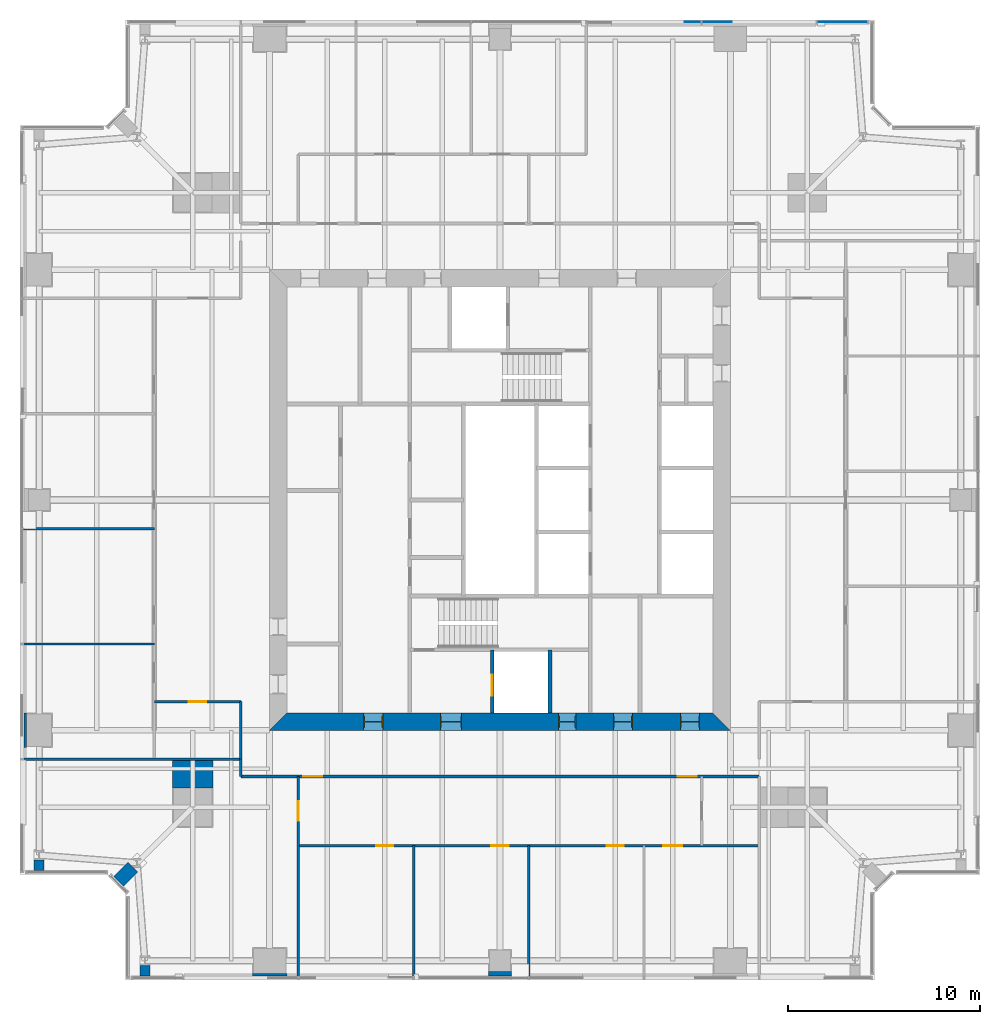
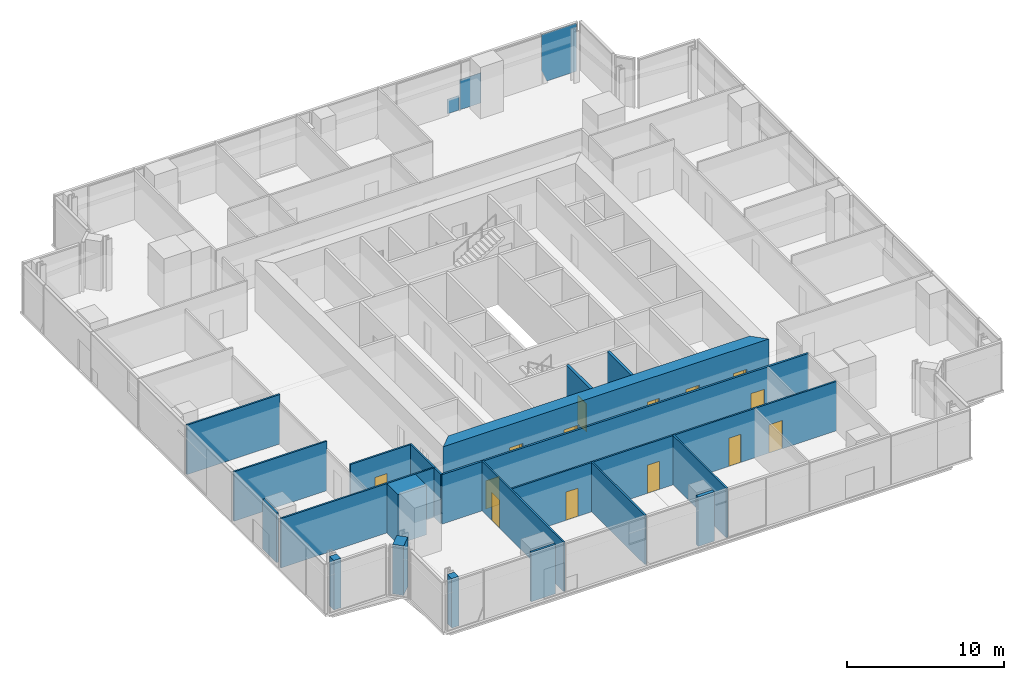
# One storey, part 9 of 14: 21 walls, 14 doors, 3 plates, 14 openings, 1 element without a shape of its own.
"""IFC4 building model written with IfcOpenShell, lengths in metres."""

from ifc_helpers import new_model, si_unit, direction, frame, frame_2d, origin, place, context, subcontext, project, spatial, polyline, rectangle, outline, extrude, material, layer, layer_set, type_object, element, fill, aggregate, save


model = new_model("IFC4")

# Units and contexts
model_context = context("Model", 3, precision=1e-05, world=origin(), true_north=direction((0.0, 1.0)))
body_context = subcontext(model_context, "Body", "Model", "MODEL_VIEW")
ifc_project = project(units=[si_unit("LENGTHUNIT", "METRE"), si_unit("AREAUNIT", "SQUARE_METRE"), si_unit("VOLUMEUNIT", "CUBIC_METRE"), si_unit("PLANEANGLEUNIT", "RADIAN"), si_unit("MASSUNIT", "GRAM", prefix="KILO")], contexts=[model_context])

# Site, building, storey
site_placement = place(None, origin())
site = spatial("IfcSite", under=ifc_project, at=site_placement, CompositionType="ELEMENT")
building_placement = place(site_placement, origin())
building = spatial("IfcBuilding", under=site, at=building_placement, Name="Fenwick Lantern Interchange", CompositionType="ELEMENT")
storey_placement = place(building_placement, frame((0.0, 0.0, 225.800048828125)))
storey = spatial("IfcBuildingStorey", under=building, at=storey_placement, Name="L53", CompositionType="ELEMENT", Elevation=225.800048828125)

# Curtain wall, plates
ifc_material_1 = material(Name="Aluminium curtain wall frame", Category="aluminium")
curtain_wall_type = type_object("IfcCurtainWallType", Name="OFFICE CURTAIN WALL", PredefinedType="USERDEFINED", material=ifc_material_1)
curtain_wall_placement = place(storey_placement, origin())
curtain_wall = element("IfcCurtainWall", 1, at=curtain_wall_placement, inside=storey, type_object=curtain_wall_type, Name="Office curtain wall 09", ObjectType="OFFICE CURTAIN WALL", PredefinedType="USERDEFINED")
ifc_material_2 = material(Name="Vision glass, clear low-iron double glazed", Category="glass")
ifc_layer_1 = layer(ifc_material_2, 0.031982421875)
ifc_layer_set_1 = layer_set([ifc_layer_1], Name="OFFICE CURTAIN WALL PANEL 32")
plate_type = type_object("IfcPlateType", Name="OFFICE CURTAIN WALL PANEL 32", PredefinedType="CURTAIN_PANEL", material=ifc_layer_set_1)
plate_1_placement = place(storey_placement, frame((44.39990234375, 49.89990234375, 0.0), z_axis=(0.0, 0.0, 1.0), x_axis=(-1.0, 0.0, 0.0)))
plate_1 = element("IfcPlate", 2, at=plate_1_placement, type_object=plate_type, Name="L53/CW/09/P00a", PredefinedType="CURTAIN_PANEL", context=body_context, shape_type="SweptSolid", body=[
    extrude(outline(polyline([(0.264892578125, 0.0), (2.4765625, 0.0), (2.867431640625, 0.955078125), (2.867431640625, 3.75), (0.264892578125, 3.75), (0.264892578125, 0.0)])), frame((0.0, 0.01611328125, 0.0), z_axis=(0.0, -1.0, 0.0), x_axis=(1.0, 0.0, 0.0)), (0.0, 0.0, 1.0), 0.031982421875),
])
plate_2_placement = place(storey_placement, frame((44.39990234375, 49.89990234375, 0.0), z_axis=(0.0, 0.0, 1.0), x_axis=(-1.0, 0.0, 0.0)))
plate_2 = element("IfcPlate", 3, at=plate_2_placement, type_object=plate_type, Name="L53/CW/09/P01a", PredefinedType="CURTAIN_PANEL", context=body_context, shape_type="SweptSolid", body=[
    extrude(outline(polyline([(7.326416015625, 0.0), (8.867431640625, 0.0), (8.867431640625, 2.345947265625), (7.326416015625, 2.345947265625), (7.326416015625, 0.0)])), frame((0.0, 0.01611328125, 0.0), z_axis=(0.0, -1.0, 0.0), x_axis=(1.0, 0.0, 0.0)), (0.0, 0.0, 1.0), 0.031982421875),
])
plate_3_placement = place(storey_placement, frame((44.39990234375, 49.89990234375, 0.0), z_axis=(0.0, 0.0, 1.0), x_axis=(-1.0, 0.0, 0.0)))
plate_3 = element("IfcPlate", 4, at=plate_3_placement, type_object=plate_type, Name="L53/CW/09/P02a", PredefinedType="CURTAIN_PANEL", context=body_context, shape_type="SweptSolid", body=[
    extrude(outline(polyline([(8.9326171875, 0.0), (9.78759765625, 0.0), (9.78759765625, 1.13232421875), (8.9326171875, 1.13232421875), (8.9326171875, 0.0)])), frame((0.0, 0.01611328125, 0.0), z_axis=(0.0, -1.0, 0.0), x_axis=(1.0, 0.0, 0.0)), (0.0, 0.0, 1.0), 0.031982421875),
])
aggregate(curtain_wall, [plate_1, plate_2, plate_3])

# Walls
ifc_material_3 = material(Name="Fire-rated gypsum board encasement on steel studs, 2 hour", Category="steel")
ifc_layer_2 = layer(ifc_material_3, 1.199951171875)
ifc_layer_set_2 = layer_set([ifc_layer_2], Name="COLUMN PIER 1200")
wall_type_1 = type_object("IfcWallType", Name="COLUMN PIER 1200", PredefinedType="PARTITIONING", material=ifc_layer_set_2)
wall_1_placement = place(storey_placement, frame((25.0, 0.199951171875, 0.0), z_axis=(0.0, 0.0, 1.0), x_axis=(0.0, 1.0, 0.0)))
element("IfcWall", 5, at=wall_1_placement, inside=storey, type_object=wall_type_1, Name="L53/W/PIER/CS3", PredefinedType="PARTITIONING", context=body_context, shape_type="SweptSolid", body=[
    extrude(rectangle(XDim=0.25, YDim=1.199951171875, at=frame_2d((0.125, 0.0))), origin(), (0.0, 0.0, 1.0), 3.849853515625),
])
ifc_layer_3 = layer(ifc_material_3, 1.800048828125)
ifc_layer_set_3 = layer_set([ifc_layer_3], Name="COLUMN PIER 1800")
wall_type_2 = type_object("IfcWallType", Name="COLUMN PIER 1800", PredefinedType="PARTITIONING", material=ifc_layer_set_3)
for number, where, z_axis, x_axis, name in (
    (6, (13.0, 0.199951171875, 0.0), (0.0, 0.0, 1.0), (0.0, 1.0, 0.0), "L53/W/PIER/CS2"),
    (7, (0.199951171875, 13.0, 0.0), (0.0, 0.0, 1.0), (1.0, 0.0, 0.0), "L53/W/PIER/CW4"),
):
    element("IfcWall", number, at=place(storey_placement, frame(where, z_axis=z_axis, x_axis=x_axis)), inside=storey, type_object=wall_type_2, Name=name, PredefinedType="PARTITIONING", context=body_context, shape_type="SweptSolid", body=[
        extrude(rectangle(XDim=0.150146484375, YDim=1.800048828125, at=frame_2d((0.0751953125, 0.0))), origin(), (0.0, 0.0, 1.0), 3.849853515625),
    ])
ifc_layer_4 = layer(ifc_material_3, 2.10009765625)
ifc_layer_set_4 = layer_set([ifc_layer_4], Name="COLUMN PIER 2100")
wall_type_3 = type_object("IfcWallType", Name="COLUMN PIER 2100", PredefinedType="PARTITIONING", material=ifc_layer_set_4)
wall_2_placement = place(storey_placement, frame((9.0, 11.4375, 0.0), z_axis=(0.0, 0.0, 1.0), x_axis=(0.0, -1.0, 0.0)))
element("IfcWall", 8, at=wall_2_placement, inside=storey, type_object=wall_type_3, Name="L53/W/PIER/M1", PredefinedType="PARTITIONING", context=body_context, shape_type="SweptSolid", body=[
    extrude(rectangle(XDim=1.4375, YDim=2.10009765625, at=frame_2d((0.71875, 0.0))), origin(), (0.0, 0.0, 1.0), 3.849853515625),
])
ifc_layer_5 = layer(ifc_material_3, 0.52392578125)
ifc_layer_set_5 = layer_set([ifc_layer_5], Name="COLUMN PIER 524")
wall_type_4 = type_object("IfcWallType", Name="COLUMN PIER 524", PredefinedType="PARTITIONING", material=ifc_layer_set_5)
for number, where, z_axis, x_axis, name in (
    (9, (6.5, 0.199951171875, 0.0), (0.0, 0.0, 1.0), (0.0, 1.0, 0.0), "L53/W/PIER/CS1"),
    (10, (1.0, 5.699951171875, 0.0), (0.0, 0.0, 1.0), (0.0, 1.0, 0.0), "L53/W/PIER/CW5"),
):
    element("IfcWall", number, at=place(storey_placement, frame(where, z_axis=z_axis, x_axis=x_axis)), inside=storey, type_object=wall_type_4, Name=name, PredefinedType="PARTITIONING", context=body_context, shape_type="SweptSolid", body=[
        extrude(rectangle(XDim=0.5625, YDim=0.52392578125, at=frame_2d((0.28125, 0.0))), origin(), (0.0, 0.0, 1.0), 3.849853515625),
    ])
ifc_layer_6 = layer(ifc_material_3, 0.736083984375)
ifc_layer_set_6 = layer_set([ifc_layer_6], Name="COLUMN PIER 736")
wall_type_5 = type_object("IfcWallType", Name="COLUMN PIER 736", PredefinedType="PARTITIONING", material=ifc_layer_set_6)
wall_3_placement = place(storey_placement, frame((5.141357421875, 5.141357421875, 0.0), z_axis=(0.0, 0.0, 1.0), x_axis=(0.707106781187, 0.707106781187, 0.0)))
element("IfcWall", 11, at=wall_3_placement, inside=storey, type_object=wall_type_5, Name="L53/W/PIER/CWR", PredefinedType="PARTITIONING", context=body_context, shape_type="SweptSolid", body=[
    extrude(rectangle(XDim=1.037841796875, YDim=0.736083984375, at=frame_2d((0.51904296875, 0.0))), origin(), (0.0, 0.0, 1.0), 3.849853515625),
])

# Wall, opening, door
ifc_material_4 = material(Name="Concrete masonry ASTM C90 Grade N", Category="masonry")
ifc_layer_7 = layer(ifc_material_4, 0.199951171875)
ifc_layer_set_7 = layer_set([ifc_layer_7], Name="Concrete masonry ASTM C90 Grade N")
wall_type_6 = type_object("IfcWallType", Name="CORE PARTITION 200", PredefinedType="PARTITIONING", material=ifc_layer_set_7)
wall_4_placement = place(storey_placement, frame((24.60009765625, 13.89990234375, 0.0), z_axis=(0.0, 0.0, 1.0), x_axis=(0.0, 1.0, 0.0)))
wall_4 = element("IfcWall", 12, at=wall_4_placement, inside=storey, type_object=wall_type_6, Name="L53/W/CORES/h1", PredefinedType="PARTITIONING", context=body_context, shape_type="SweptSolid", body=[
    extrude(rectangle(XDim=3.300048828125, YDim=0.199951171875, at=frame_2d((1.64990234375, 0.0))), origin(), (0.0, 0.0, 1.0), 3.800048828125),
])
opening_1_placement = place(wall_4_placement, frame((0.89990234375, 0.0, 0.0)))
opening_1 = element("IfcOpeningElement", 13, at=opening_1_placement, cuts=wall_4, Name="Opening LD-FL1", PredefinedType="OPENING", context=body_context, shape_type="SweptSolid", body=[
    extrude(rectangle(XDim=1.10009765625, YDim=2.199951171875, at=frame_2d((0.550048828125, 1.10009765625))), frame((0.0, 0.10986328125, 0.0), z_axis=(0.0, -1.0, 0.0), x_axis=(1.0, 0.0, 0.0)), (0.0, 0.0, 1.0), 0.219970703125),
])
ifc_material_5 = material(Name="Steel door and frame", Category="steel")
door_type_1 = type_object("IfcDoorType", Name="LIFT LANDING DOOR 1100 X 2200", OperationType="DOUBLE_DOOR_SLIDING", PredefinedType="DOOR", material=ifc_material_5)
door_1_placement = place(opening_1_placement, origin())
door_1 = element("IfcDoor", 14, at=door_1_placement, inside=storey, type_object=door_type_1, Name="Lift landing door FL1", OperationType="DOUBLE_DOOR_SLIDING", OverallHeight=2.199951171875, OverallWidth=1.10009765625, PredefinedType="DOOR", context=body_context, shape_type="SweptSolid", body=[
    extrude(rectangle(XDim=1.10009765625, YDim=2.199951171875, at=frame_2d((0.550048828125, 1.10009765625))), frame((0.0, 0.02490234375, 0.0), z_axis=(0.0, -1.0, 0.0), x_axis=(1.0, 0.0, 0.0)), (0.0, 0.0, 1.0), 0.050048828125),
])
fill(opening_1, door_1)

# Wall
wall_5_placement = place(storey_placement, frame((27.60009765625, 13.89990234375, 0.0), z_axis=(0.0, 0.0, 1.0), x_axis=(0.0, 1.0, 0.0)))
element("IfcWall", 15, at=wall_5_placement, inside=storey, type_object=wall_type_6, Name="L53/W/CORES/h2", PredefinedType="PARTITIONING", context=body_context, shape_type="SweptSolid", body=[
    extrude(rectangle(XDim=3.300048828125, YDim=0.199951171875, at=frame_2d((1.64990234375, 0.0))), origin(), (0.0, 0.0, 1.0), 3.800048828125),
])

# Wall, openings, doors
ifc_material_6 = material(Name="Concrete f'c 70 MPa", Category="concrete")
ifc_layer_8 = layer(ifc_material_6, 0.89990234375)
ifc_layer_set_8 = layer_set([ifc_layer_8], Name="CORE WALL 900")
wall_type_7 = type_object("IfcWallType", Name="CORE WALL 900", PredefinedType="SHEAR", material=ifc_layer_set_8)
wall_6_placement = place(storey_placement, frame((13.0, 13.449951171875, 0.0), z_axis=(0.0, 0.0, 1.0), x_axis=(1.0, 0.0, 0.0)))
wall_6 = element("IfcWall", 16, at=wall_6_placement, inside=storey, type_object=wall_type_7, Name="L53/CORE/S", PredefinedType="SHEAR", context=body_context, shape_type="SweptSolid", body=[
    extrude(outline(polyline([(0.0, -0.449951171875), (24.0, -0.449951171875), (23.10009765625, 0.449951171875), (0.89990234375, 0.449951171875), (0.0, -0.449951171875)])), origin(), (0.0, 0.0, 1.0), 4.0),
])
opening_2_placement = place(wall_6_placement, frame((4.89990234375, 0.0, 0.0)))
opening_2 = element("IfcOpeningElement", 17, at=opening_2_placement, cuts=wall_6, Name="Opening L53-D001", PredefinedType="OPENING", context=body_context, shape_type="SweptSolid", body=[
    extrude(rectangle(XDim=1.0, YDim=2.199951171875, at=frame_2d((0.5, 1.10009765625))), frame((0.0, 0.4599609375, 0.0), z_axis=(0.0, -1.0, 0.0), x_axis=(1.0, 0.0, 0.0)), (0.0, 0.0, 1.0), 0.919921875),
])
opening_3_placement = place(wall_6_placement, frame((8.89990234375, 0.0, 0.0)))
opening_3 = element("IfcOpeningElement", 18, at=opening_3_placement, cuts=wall_6, Name="Opening L53-D002", PredefinedType="OPENING", context=body_context, shape_type="SweptSolid", body=[
    extrude(rectangle(XDim=1.10009765625, YDim=2.199951171875, at=frame_2d((0.550048828125, 1.10009765625))), frame((0.0, 0.4599609375, 0.0), z_axis=(0.0, -1.0, 0.0), x_axis=(1.0, 0.0, 0.0)), (0.0, 0.0, 1.0), 0.919921875),
])
opening_4_placement = place(wall_6_placement, frame((15.050048828125, 0.0, 0.0)))
opening_4 = element("IfcOpeningElement", 19, at=opening_4_placement, cuts=wall_6, Name="Opening L53-D004", PredefinedType="OPENING", context=body_context, shape_type="SweptSolid", body=[
    extrude(rectangle(XDim=0.89990234375, YDim=2.199951171875, at=frame_2d((0.449951171875, 1.10009765625))), frame((0.0, 0.4599609375, 0.0), z_axis=(0.0, -1.0, 0.0), x_axis=(1.0, 0.0, 0.0)), (0.0, 0.0, 1.0), 0.919921875),
])
opening_5_placement = place(wall_6_placement, frame((17.89990234375, 0.0, 0.0)))
opening_5 = element("IfcOpeningElement", 20, at=opening_5_placement, cuts=wall_6, Name="Opening L53-D005", PredefinedType="OPENING", context=body_context, shape_type="SweptSolid", body=[
    extrude(rectangle(XDim=1.0, YDim=2.199951171875, at=frame_2d((0.5, 1.10009765625))), frame((0.0, 0.4599609375, 0.0), z_axis=(0.0, -1.0, 0.0), x_axis=(1.0, 0.0, 0.0)), (0.0, 0.0, 1.0), 0.919921875),
])
opening_6_placement = place(wall_6_placement, frame((21.39990234375, 0.0, 0.0)))
opening_6 = element("IfcOpeningElement", 21, at=opening_6_placement, cuts=wall_6, Name="Opening L53-D006", PredefinedType="OPENING", context=body_context, shape_type="SweptSolid", body=[
    extrude(rectangle(XDim=1.0, YDim=2.199951171875, at=frame_2d((0.5, 1.10009765625))), frame((0.0, 0.4599609375, 0.0), z_axis=(0.0, -1.0, 0.0), x_axis=(1.0, 0.0, 0.0)), (0.0, 0.0, 1.0), 0.919921875),
])
door_type_2 = type_object("IfcDoorType", Name="CORE LOBBY DOOR 1000 X 2200", OperationType="SINGLE_SWING_LEFT", PredefinedType="DOOR", material=ifc_material_5)
door_2_placement = place(opening_2_placement, origin())
door_2 = element("IfcDoor", 22, at=door_2_placement, inside=storey, type_object=door_type_2, Name="Core lobby door", OperationType="SINGLE_SWING_LEFT", OverallHeight=2.199951171875, OverallWidth=1.0, PredefinedType="DOOR", context=body_context, shape_type="SweptSolid", body=[
    extrude(rectangle(XDim=1.0, YDim=2.199951171875, at=frame_2d((0.5, 1.10009765625))), frame((0.0, 0.02490234375, 0.0), z_axis=(0.0, -1.0, 0.0), x_axis=(1.0, 0.0, 0.0)), (0.0, 0.0, 1.0), 0.050048828125),
    extrude(outline(polyline([(0.0, 0.0), (0.0400390625, 0.0), (0.0400390625, 2.159912109375), (0.9599609375, 2.159912109375), (0.9599609375, 0.0), (1.0, 0.0), (1.0, 2.199951171875), (0.0, 2.199951171875), (0.0, 0.0)])), frame((0.0, 0.300048828125, 0.0), z_axis=(0.0, -1.0, 0.0), x_axis=(1.0, 0.0, 0.0)), (0.0, 0.0, 1.0), 0.60009765625),
])
fill(opening_2, door_2)
door_type_3 = type_object("IfcDoorType", Name="FIRE LOBBY DOOR 1100 X 2200", OperationType="SINGLE_SWING_LEFT", PredefinedType="DOOR", material=ifc_material_5)
door_3_placement = place(opening_3_placement, origin())
door_3 = element("IfcDoor", 23, at=door_3_placement, inside=storey, type_object=door_type_3, Name="Fire lobby door", OperationType="SINGLE_SWING_LEFT", OverallHeight=2.199951171875, OverallWidth=1.10009765625, PredefinedType="DOOR", context=body_context, shape_type="SweptSolid", body=[
    extrude(rectangle(XDim=1.10009765625, YDim=2.199951171875, at=frame_2d((0.550048828125, 1.10009765625))), frame((0.0, 0.02490234375, 0.0), z_axis=(0.0, -1.0, 0.0), x_axis=(1.0, 0.0, 0.0)), (0.0, 0.0, 1.0), 0.050048828125),
    extrude(outline(polyline([(0.0, 0.0), (0.0400390625, 0.0), (0.0400390625, 2.159912109375), (1.06005859375, 2.159912109375), (1.06005859375, 0.0), (1.10009765625, 0.0), (1.10009765625, 2.199951171875), (0.0, 2.199951171875), (0.0, 0.0)])), frame((0.0, 0.300048828125, 0.0), z_axis=(0.0, -1.0, 0.0), x_axis=(1.0, 0.0, 0.0)), (0.0, 0.0, 1.0), 0.60009765625),
])
fill(opening_3, door_3)
door_type_4 = type_object("IfcDoorType", Name="SERVICE DOOR 900 X 2200", OperationType="SINGLE_SWING_LEFT", PredefinedType="DOOR", material=ifc_material_5)
door_4_placement = place(opening_4_placement, origin())
door_4 = element("IfcDoor", 24, at=door_4_placement, inside=storey, type_object=door_type_4, Name="Service door", OperationType="SINGLE_SWING_LEFT", OverallHeight=2.199951171875, OverallWidth=0.89990234375, PredefinedType="DOOR", context=body_context, shape_type="SweptSolid", body=[
    extrude(rectangle(XDim=0.89990234375, YDim=2.199951171875, at=frame_2d((0.449951171875, 1.10009765625))), frame((0.0, 0.02490234375, 0.0), z_axis=(0.0, -1.0, 0.0), x_axis=(1.0, 0.0, 0.0)), (0.0, 0.0, 1.0), 0.050048828125),
    extrude(outline(polyline([(0.0, 0.0), (0.0400390625, 0.0), (0.0400390625, 2.159912109375), (0.85986328125, 2.159912109375), (0.85986328125, 0.0), (0.89990234375, 0.0), (0.89990234375, 2.199951171875), (0.0, 2.199951171875), (0.0, 0.0)])), frame((0.0, 0.300048828125, 0.0), z_axis=(0.0, -1.0, 0.0), x_axis=(1.0, 0.0, 0.0)), (0.0, 0.0, 1.0), 0.60009765625),
])
fill(opening_4, door_4)
ifc_material_7 = material(Name="Hardwood door and steel frame", Category="steel")
door_type_5 = type_object("IfcDoorType", Name="WC DOOR 1000 X 2200", OperationType="SINGLE_SWING_LEFT", PredefinedType="DOOR", material=ifc_material_7)
door_5_placement = place(opening_5_placement, origin())
door_5 = element("IfcDoor", 25, at=door_5_placement, inside=storey, type_object=door_type_5, Name="Wc door", OperationType="SINGLE_SWING_RIGHT", OverallHeight=2.199951171875, OverallWidth=1.0, PredefinedType="DOOR", context=body_context, shape_type="SweptSolid", body=[
    extrude(rectangle(XDim=1.0, YDim=2.199951171875, at=frame_2d((0.5, 1.10009765625))), frame((0.0, 0.02490234375, 0.0), z_axis=(0.0, -1.0, 0.0), x_axis=(1.0, 0.0, 0.0)), (0.0, 0.0, 1.0), 0.050048828125),
    extrude(outline(polyline([(0.0, 0.0), (0.0400390625, 0.0), (0.0400390625, 2.159912109375), (0.9599609375, 2.159912109375), (0.9599609375, 0.0), (1.0, 0.0), (1.0, 2.199951171875), (0.0, 2.199951171875), (0.0, 0.0)])), frame((0.0, 0.300048828125, 0.0), z_axis=(0.0, -1.0, 0.0), x_axis=(1.0, 0.0, 0.0)), (0.0, 0.0, 1.0), 0.60009765625),
])
fill(opening_5, door_5)
door_6_placement = place(opening_6_placement, origin())
door_6 = element("IfcDoor", 26, at=door_6_placement, inside=storey, type_object=door_type_5, Name="Wc door", OperationType="SINGLE_SWING_RIGHT", OverallHeight=2.199951171875, OverallWidth=1.0, PredefinedType="DOOR", context=body_context, shape_type="SweptSolid", body=[
    extrude(rectangle(XDim=1.0, YDim=2.199951171875, at=frame_2d((0.5, 1.10009765625))), frame((0.0, 0.02490234375, 0.0), z_axis=(0.0, -1.0, 0.0), x_axis=(1.0, 0.0, 0.0)), (0.0, 0.0, 1.0), 0.050048828125),
    extrude(outline(polyline([(0.0, 0.0), (0.0400390625, 0.0), (0.0400390625, 2.159912109375), (0.9599609375, 2.159912109375), (0.9599609375, 0.0), (1.0, 0.0), (1.0, 2.199951171875), (0.0, 2.199951171875), (0.0, 0.0)])), frame((0.0, 0.300048828125, 0.0), z_axis=(0.0, -1.0, 0.0), x_axis=(1.0, 0.0, 0.0)), (0.0, 0.0, 1.0), 0.60009765625),
])
fill(opening_6, door_6)

# Wall
ifc_material_8 = material(Name="Gypsum board on steel studs, 1 hour", Category="steel")
ifc_layer_9 = layer(ifc_material_8, 0.14990234375)
ifc_layer_set_9 = layer_set([ifc_layer_9], Name="CORRIDOR WALL 150")
wall_type_8 = type_object("IfcWallType", Name="CORRIDOR WALL 150", PredefinedType="PARTITIONING", material=ifc_layer_set_9)
wall_7_placement = place(storey_placement, frame((11.5, 11.5, 0.0), z_axis=(0.0, 0.0, 1.0), x_axis=(0.0, -1.0, 0.0)))
element("IfcWall", 27, at=wall_7_placement, inside=storey, type_object=wall_type_8, Name="L53/W/OFF/S/CWJ", PredefinedType="PARTITIONING", context=body_context, shape_type="SweptSolid", body=[
    extrude(rectangle(XDim=0.89990234375, YDim=0.14990234375, at=frame_2d((0.449951171875, 0.0))), origin(), (0.0, 0.0, 1.0), 3.849853515625),
])

# Wall, openings, doors
wall_8_placement = place(storey_placement, frame((11.5, 10.60009765625, 0.0), z_axis=(0.0, 0.0, 1.0), x_axis=(1.0, 0.0, 0.0)))
wall_8 = element("IfcWall", 28, at=wall_8_placement, inside=storey, type_object=wall_type_8, Name="L53/W/OFF/S/CW2", PredefinedType="PARTITIONING", context=body_context, shape_type="SweptSolid", body=[
    extrude(rectangle(XDim=27.0, YDim=0.14990234375, at=frame_2d((13.5, 0.0))), origin(), (0.0, 0.0, 1.0), 3.849853515625),
])
opening_7_placement = place(wall_8_placement, frame((3.25, 0.0, 0.0)))
opening_7 = element("IfcOpeningElement", 29, at=opening_7_placement, cuts=wall_8, Name="Opening L53-D022", PredefinedType="OPENING", context=body_context, shape_type="SweptSolid", body=[
    extrude(rectangle(XDim=1.0, YDim=2.199951171875, at=frame_2d((0.5, 1.10009765625))), frame((0.0, 0.0849609375, 0.0), z_axis=(0.0, -1.0, 0.0), x_axis=(1.0, 0.0, 0.0)), (0.0, 0.0, 1.0), 0.169921875),
])
opening_8_placement = place(wall_8_placement, frame((22.75, 0.0, 0.0)))
opening_8 = element("IfcOpeningElement", 30, at=opening_8_placement, cuts=wall_8, Name="Opening L53-D023", PredefinedType="OPENING", context=body_context, shape_type="SweptSolid", body=[
    extrude(rectangle(XDim=1.0, YDim=2.199951171875, at=frame_2d((0.5, 1.10009765625))), frame((0.0, 0.0849609375, 0.0), z_axis=(0.0, -1.0, 0.0), x_axis=(1.0, 0.0, 0.0)), (0.0, 0.0, 1.0), 0.169921875),
])
door_type_6 = type_object("IfcDoorType", Name="SUITE ENTRANCE DOOR 1000 X 2200", OperationType="SINGLE_SWING_LEFT", PredefinedType="DOOR", material=ifc_material_5)
door_7_placement = place(opening_7_placement, origin())
door_7 = element("IfcDoor", 31, at=door_7_placement, inside=storey, type_object=door_type_6, Name="Suite entrance door", OperationType="SINGLE_SWING_LEFT", OverallHeight=2.199951171875, OverallWidth=1.0, PredefinedType="DOOR", context=body_context, shape_type="SweptSolid", body=[
    extrude(rectangle(XDim=1.0, YDim=2.199951171875, at=frame_2d((0.5, 1.10009765625))), frame((0.0, 0.02490234375, 0.0), z_axis=(0.0, -1.0, 0.0), x_axis=(1.0, 0.0, 0.0)), (0.0, 0.0, 1.0), 0.050048828125),
])
fill(opening_7, door_7)
door_8_placement = place(opening_8_placement, origin())
door_8 = element("IfcDoor", 32, at=door_8_placement, inside=storey, type_object=door_type_6, Name="Suite entrance door", OperationType="SINGLE_SWING_RIGHT", OverallHeight=2.199951171875, OverallWidth=1.0, PredefinedType="DOOR", context=body_context, shape_type="SweptSolid", body=[
    extrude(rectangle(XDim=1.0, YDim=2.199951171875, at=frame_2d((0.5, 1.10009765625))), frame((0.0, 0.02490234375, 0.0), z_axis=(0.0, -1.0, 0.0), x_axis=(1.0, 0.0, 0.0)), (0.0, 0.0, 1.0), 0.050048828125),
])
fill(opening_8, door_8)

# Wall
ifc_material_9 = material(Name="Gypsum board on steel studs, acoustic", Category="steel")
ifc_layer_10 = layer(ifc_material_9, 0.125)
ifc_layer_set_10 = layer_set([ifc_layer_10], Name="OFFICE PARTITION 125")
wall_type_9 = type_object("IfcWallType", Name="OFFICE PARTITION 125", PredefinedType="PARTITIONING", material=ifc_layer_set_10)
wall_9_placement = place(storey_placement, frame((0.14990234375, 11.5, 0.0), z_axis=(0.0, 0.0, 1.0), x_axis=(1.0, 0.0, 0.0)))
element("IfcWall", 33, at=wall_9_placement, inside=storey, type_object=wall_type_9, Name="L53/W/OFF/S/BACK", PredefinedType="PARTITIONING", context=body_context, shape_type="SweptSolid", body=[
    extrude(rectangle(XDim=11.35009765625, YDim=0.125, at=frame_2d((5.675048828125, 0.0))), origin(), (0.0, 0.0, 1.0), 3.849853515625),
])

# Wall, opening, door
wall_10_placement = place(storey_placement, frame((14.5, 0.14990234375, 0.0), z_axis=(0.0, 0.0, 1.0), x_axis=(0.0, 1.0, 0.0)))
wall_10 = element("IfcWall", 34, at=wall_10_placement, inside=storey, type_object=wall_type_9, Name="L53/W/OFF/S/X145-1", PredefinedType="PARTITIONING", context=body_context, shape_type="SweptSolid", body=[
    extrude(rectangle(XDim=10.4501953125, YDim=0.125, at=frame_2d((5.22509765625, 0.0))), origin(), (0.0, 0.0, 1.0), 3.849853515625),
])
opening_9_placement = place(wall_10_placement, frame((8.14990234375, 0.0, 0.0)))
opening_9 = element("IfcOpeningElement", 35, at=opening_9_placement, cuts=wall_10, Name="Opening L53-D024", PredefinedType="OPENING", context=body_context, shape_type="SweptSolid", body=[
    extrude(rectangle(XDim=1.0, YDim=2.199951171875, at=frame_2d((0.5, 1.10009765625))), frame((0.0, 0.072509765625, 0.0), z_axis=(0.0, -1.0, 0.0), x_axis=(1.0, 0.0, 0.0)), (0.0, 0.0, 1.0), 0.14501953125),
])
door_type_7 = type_object("IfcDoorType", Name="MEETING ROOM DOOR 1000 X 2200", OperationType="SINGLE_SWING_LEFT", PredefinedType="DOOR", material=ifc_material_7)
door_9_placement = place(opening_9_placement, origin())
door_9 = element("IfcDoor", 36, at=door_9_placement, inside=storey, type_object=door_type_7, Name="Meeting room door", OperationType="SINGLE_SWING_RIGHT", OverallHeight=2.199951171875, OverallWidth=1.0, PredefinedType="DOOR", context=body_context, shape_type="SweptSolid", body=[
    extrude(rectangle(XDim=1.0, YDim=2.199951171875, at=frame_2d((0.5, 1.10009765625))), frame((0.0, 0.02490234375, 0.0), z_axis=(0.0, -1.0, 0.0), x_axis=(1.0, 0.0, 0.0)), (0.0, 0.0, 1.0), 0.050048828125),
])
fill(opening_9, door_9)

# Walls
for number, where, z_axis, x_axis, name in (
    (37, (20.5, 0.14990234375, 0.0), (0.0, 0.0, 1.0), (0.0, 1.0, 0.0), "L53/W/OFF/S/X205-1"),
    (38, (26.5, 0.14990234375, 0.0), (0.0, 0.0, 1.0), (0.0, 1.0, 0.0), "L53/W/OFF/S/X265-1"),
):
    element("IfcWall", number, at=place(storey_placement, frame(where, z_axis=z_axis, x_axis=x_axis)), inside=storey, type_object=wall_type_9, Name=name, PredefinedType="PARTITIONING", context=body_context, shape_type="SweptSolid", body=[
        extrude(rectangle(XDim=6.85009765625, YDim=0.125, at=frame_2d((3.425048828125, 0.0))), origin(), (0.0, 0.0, 1.0), 3.849853515625),
    ])

# Wall, openings, doors
wall_11_placement = place(storey_placement, frame((14.5, 7.0, 0.0), z_axis=(0.0, 0.0, 1.0), x_axis=(1.0, 0.0, 0.0)))
wall_11 = element("IfcWall", 39, at=wall_11_placement, inside=storey, type_object=wall_type_9, Name="L53/W/OFF/S/Y70-1", PredefinedType="PARTITIONING", context=body_context, shape_type="SweptSolid", body=[
    extrude(rectangle(XDim=24.0, YDim=0.125, at=frame_2d((12.0, 0.0))), origin(), (0.0, 0.0, 1.0), 3.849853515625),
])
opening_10_placement = place(wall_11_placement, frame((4.050048828125, 0.0, 0.0)))
opening_10 = element("IfcOpeningElement", 40, at=opening_10_placement, cuts=wall_11, Name="Opening L53-D025", PredefinedType="OPENING", context=body_context, shape_type="SweptSolid", body=[
    extrude(rectangle(XDim=0.89990234375, YDim=2.199951171875, at=frame_2d((0.449951171875, 1.10009765625))), frame((0.0, 0.072509765625, 0.0), z_axis=(0.0, -1.0, 0.0), x_axis=(1.0, 0.0, 0.0)), (0.0, 0.0, 1.0), 0.14501953125),
])
opening_11_placement = place(wall_11_placement, frame((10.050048828125, 0.0, 0.0)))
opening_11 = element("IfcOpeningElement", 41, at=opening_11_placement, cuts=wall_11, Name="Opening L53-D026", PredefinedType="OPENING", context=body_context, shape_type="SweptSolid", body=[
    extrude(rectangle(XDim=0.89990234375, YDim=2.199951171875, at=frame_2d((0.449951171875, 1.10009765625))), frame((0.0, 0.072509765625, 0.0), z_axis=(0.0, -1.0, 0.0), x_axis=(1.0, 0.0, 0.0)), (0.0, 0.0, 1.0), 0.14501953125),
])
opening_12_placement = place(wall_11_placement, frame((16.050048828125, 0.0, 0.0)))
opening_12 = element("IfcOpeningElement", 42, at=opening_12_placement, cuts=wall_11, Name="Opening L53-D027", PredefinedType="OPENING", context=body_context, shape_type="SweptSolid", body=[
    extrude(rectangle(XDim=0.89990234375, YDim=2.199951171875, at=frame_2d((0.449951171875, 1.10009765625))), frame((0.0, 0.072509765625, 0.0), z_axis=(0.0, -1.0, 0.0), x_axis=(1.0, 0.0, 0.0)), (0.0, 0.0, 1.0), 0.14501953125),
])
opening_13_placement = place(wall_11_placement, frame((19.0, 0.0, 0.0)))
opening_13 = element("IfcOpeningElement", 43, at=opening_13_placement, cuts=wall_11, Name="Opening L53-D028", PredefinedType="OPENING", context=body_context, shape_type="SweptSolid", body=[
    extrude(rectangle(XDim=1.0, YDim=2.199951171875, at=frame_2d((0.5, 1.10009765625))), frame((0.0, 0.072509765625, 0.0), z_axis=(0.0, -1.0, 0.0), x_axis=(1.0, 0.0, 0.0)), (0.0, 0.0, 1.0), 0.14501953125),
])
door_10_placement = place(opening_13_placement, frame((1.0, 0.0, 0.0), z_axis=(0.0, 0.0, 1.0), x_axis=(-1.0, 0.0, 0.0)))
door_10 = element("IfcDoor", 44, at=door_10_placement, inside=storey, type_object=door_type_7, Name="Meeting room door", OperationType="SINGLE_SWING_RIGHT", OverallHeight=2.199951171875, OverallWidth=1.0, PredefinedType="DOOR", context=body_context, shape_type="SweptSolid", body=[
    extrude(rectangle(XDim=1.0, YDim=2.199951171875, at=frame_2d((0.5, 1.10009765625))), frame((0.0, 0.02490234375, 0.0), z_axis=(0.0, -1.0, 0.0), x_axis=(1.0, 0.0, 0.0)), (0.0, 0.0, 1.0), 0.050048828125),
])
fill(opening_13, door_10)
door_type_8 = type_object("IfcDoorType", Name="OFFICE DOOR 900 X 2200", OperationType="SINGLE_SWING_LEFT", PredefinedType="DOOR", material=ifc_material_7)
door_11_placement = place(opening_10_placement, frame((0.89990234375, 0.0, 0.0), z_axis=(0.0, 0.0, 1.0), x_axis=(-1.0, 0.0, 0.0)))
door_11 = element("IfcDoor", 45, at=door_11_placement, inside=storey, type_object=door_type_8, Name="Office door", OperationType="SINGLE_SWING_LEFT", OverallHeight=2.199951171875, OverallWidth=0.89990234375, PredefinedType="DOOR", context=body_context, shape_type="SweptSolid", body=[
    extrude(rectangle(XDim=0.89990234375, YDim=2.199951171875, at=frame_2d((0.449951171875, 1.10009765625))), frame((0.0, 0.02490234375, 0.0), z_axis=(0.0, -1.0, 0.0), x_axis=(1.0, 0.0, 0.0)), (0.0, 0.0, 1.0), 0.050048828125),
])
fill(opening_10, door_11)
door_12_placement = place(opening_11_placement, frame((0.89990234375, 0.0, 0.0), z_axis=(0.0, 0.0, 1.0), x_axis=(-1.0, 0.0, 0.0)))
door_12 = element("IfcDoor", 46, at=door_12_placement, inside=storey, type_object=door_type_8, Name="Office door", OperationType="SINGLE_SWING_LEFT", OverallHeight=2.199951171875, OverallWidth=0.89990234375, PredefinedType="DOOR", context=body_context, shape_type="SweptSolid", body=[
    extrude(rectangle(XDim=0.89990234375, YDim=2.199951171875, at=frame_2d((0.449951171875, 1.10009765625))), frame((0.0, 0.02490234375, 0.0), z_axis=(0.0, -1.0, 0.0), x_axis=(1.0, 0.0, 0.0)), (0.0, 0.0, 1.0), 0.050048828125),
])
fill(opening_11, door_12)
door_13_placement = place(opening_12_placement, frame((0.89990234375, 0.0, 0.0), z_axis=(0.0, 0.0, 1.0), x_axis=(-1.0, 0.0, 0.0)))
door_13 = element("IfcDoor", 47, at=door_13_placement, inside=storey, type_object=door_type_8, Name="Office door", OperationType="SINGLE_SWING_LEFT", OverallHeight=2.199951171875, OverallWidth=0.89990234375, PredefinedType="DOOR", context=body_context, shape_type="SweptSolid", body=[
    extrude(rectangle(XDim=0.89990234375, YDim=2.199951171875, at=frame_2d((0.449951171875, 1.10009765625))), frame((0.0, 0.02490234375, 0.0), z_axis=(0.0, -1.0, 0.0), x_axis=(1.0, 0.0, 0.0)), (0.0, 0.0, 1.0), 0.050048828125),
])
fill(opening_12, door_13)

# Walls
for number, where, z_axis, x_axis, name in (
    (48, (0.14990234375, 23.5, 0.0), (0.0, 0.0, 1.0), (1.0, 0.0, 0.0), "L53/W/OFF/W/X265-1"),
    (49, (0.14990234375, 17.5, 0.0), (0.0, 0.0, 1.0), (1.0, 0.0, 0.0), "L53/W/OFF/W/X325-1"),
):
    element("IfcWall", number, at=place(storey_placement, frame(where, z_axis=z_axis, x_axis=x_axis)), inside=storey, type_object=wall_type_9, Name=name, PredefinedType="PARTITIONING", context=body_context, shape_type="SweptSolid", body=[
        extrude(rectangle(XDim=6.85009765625, YDim=0.125, at=frame_2d((3.425048828125, 0.0))), origin(), (0.0, 0.0, 1.0), 3.849853515625),
    ])

# Wall, opening, door
wall_12_placement = place(storey_placement, frame((7.0, 14.5, 0.0), z_axis=(0.0, 0.0, 1.0), x_axis=(1.0, 0.0, 0.0)))
wall_12 = element("IfcWall", 50, at=wall_12_placement, inside=storey, type_object=wall_type_9, Name="L53/W/OFF/W/X355-1", PredefinedType="PARTITIONING", context=body_context, shape_type="SweptSolid", body=[
    extrude(rectangle(XDim=4.5, YDim=0.125, at=frame_2d((2.25, 0.0))), origin(), (0.0, 0.0, 1.0), 3.849853515625),
])
opening_14_placement = place(wall_12_placement, frame((1.800048828125, 0.0, 0.0)))
opening_14 = element("IfcOpeningElement", 51, at=opening_14_placement, cuts=wall_12, Name="Opening L53-D049", PredefinedType="OPENING", context=body_context, shape_type="SweptSolid", body=[
    extrude(rectangle(XDim=0.89990234375, YDim=2.199951171875, at=frame_2d((0.449951171875, 1.10009765625))), frame((0.0, 0.072509765625, 0.0), z_axis=(0.0, -1.0, 0.0), x_axis=(1.0, 0.0, 0.0)), (0.0, 0.0, 1.0), 0.14501953125),
])
door_14_placement = place(opening_14_placement, frame((0.89990234375, 0.0, 0.0), z_axis=(0.0, 0.0, 1.0), x_axis=(-1.0, 0.0, 0.0)))
door_14 = element("IfcDoor", 52, at=door_14_placement, inside=storey, type_object=door_type_8, Name="Office door", OperationType="SINGLE_SWING_RIGHT", OverallHeight=2.199951171875, OverallWidth=0.89990234375, PredefinedType="DOOR", context=body_context, shape_type="SweptSolid", body=[
    extrude(rectangle(XDim=0.89990234375, YDim=2.199951171875, at=frame_2d((0.449951171875, 1.10009765625))), frame((0.0, 0.02490234375, 0.0), z_axis=(0.0, -1.0, 0.0), x_axis=(1.0, 0.0, 0.0)), (0.0, 0.0, 1.0), 0.050048828125),
])
fill(opening_14, door_14)

# Wall
wall_13_placement = place(storey_placement, frame((11.5, 14.5, 0.0), z_axis=(0.0, 0.0, 1.0), x_axis=(0.0, -1.0, 0.0)))
element("IfcWall", 53, at=wall_13_placement, inside=storey, type_object=wall_type_9, Name="L53/W/OFF/W/CWS2", PredefinedType="PARTITIONING", context=body_context, shape_type="SweptSolid", body=[
    extrude(rectangle(XDim=3.0, YDim=0.125, at=frame_2d((1.5, 0.0))), origin(), (0.0, 0.0, 1.0), 3.849853515625),
])

save(model, "model.ifc")
